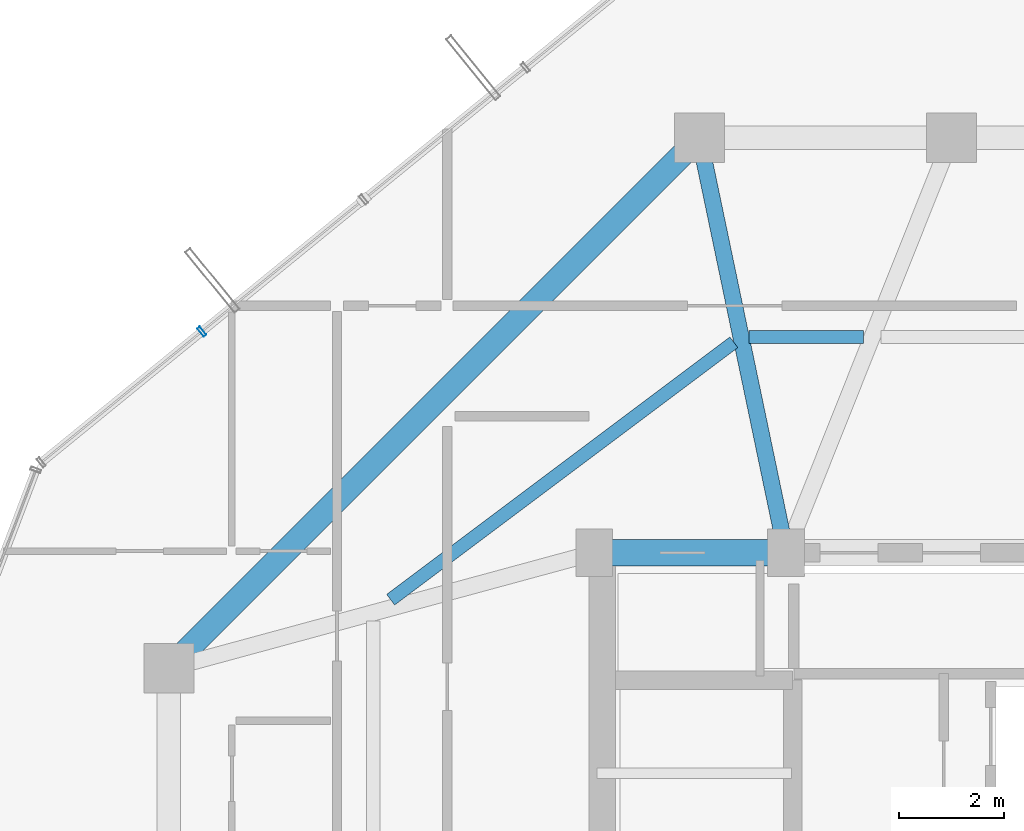
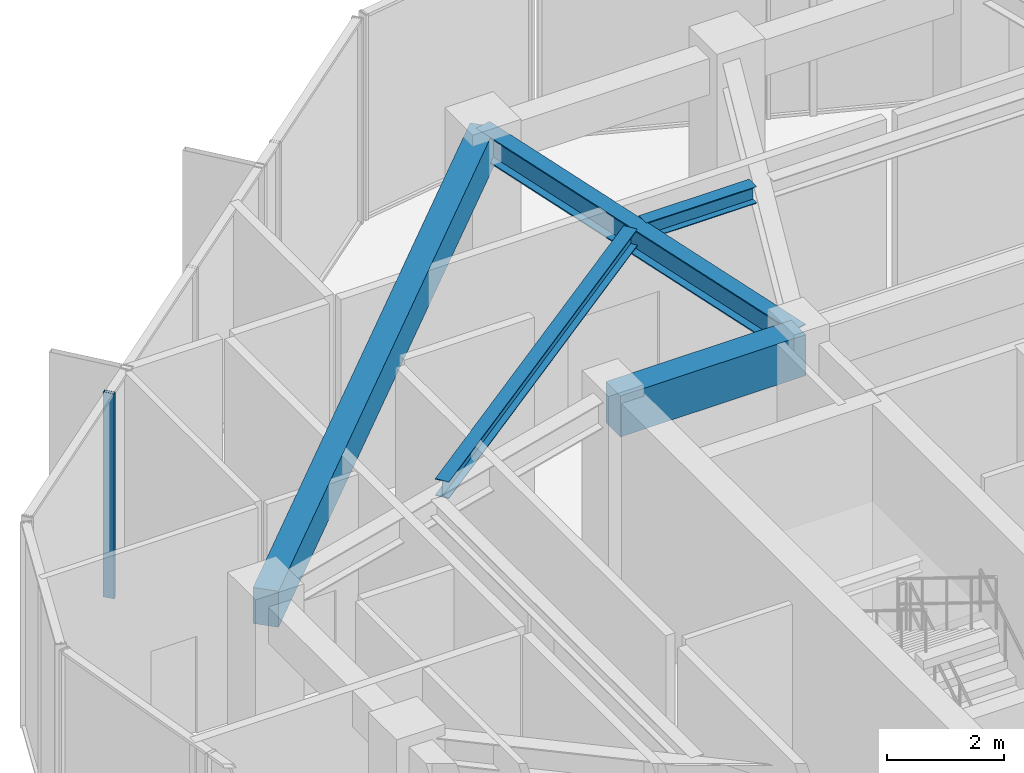
# One storey, part 10 of 22: 5 beams, 1 member, 1 element without a shape of its own.
"""IFC4 building model written with IfcOpenShell, lengths in metres."""

from ifc_helpers import new_model, si_unit, direction, frame, origin, origin_2d, place, context, subcontext, project, spatial, rectangle, hollow_rectangle, i_section, extrude, source, transform, mapped, material, layer, layer_set, material_profile, profile_set, type_object, element, aggregate, save


model = new_model("IFC4")

# Units and contexts
model_context = context("Model", 3, precision=1e-05, world=origin(), true_north=direction((0.0, 1.0)))
body_context = subcontext(model_context, "Body", "Model", "MODEL_VIEW")
ifc_project = project(units=[si_unit("LENGTHUNIT", "METRE"), si_unit("AREAUNIT", "SQUARE_METRE"), si_unit("VOLUMEUNIT", "CUBIC_METRE"), si_unit("PLANEANGLEUNIT", "RADIAN"), si_unit("MASSUNIT", "GRAM", prefix="KILO")], contexts=[model_context])

# Site, building, storey
site_placement = place(None, origin())
site = spatial("IfcSite", under=ifc_project, at=site_placement, CompositionType="ELEMENT")
building_placement = place(site_placement, origin())
building = spatial("IfcBuilding", under=site, at=building_placement, Name="Veraguas Prism Commons", CompositionType="ELEMENT")
storey_placement = place(building_placement, frame((0.0, 0.0, 174.35009765625)))
storey = spatial("IfcBuildingStorey", under=building, at=storey_placement, Name="L49", CompositionType="ELEMENT", Elevation=174.35009765625)

# Beams
ifc_material_1 = material(Name="Concrete C50/60", Category="concrete")
ifc_material_profile_1 = material_profile(ifc_material_1, rectangle(XDim=0.5, YDim=0.85009765625, at=origin_2d()), Name="RC500X850")
ifc_profile_set_1 = profile_set([ifc_material_profile_1], Name="Concrete C50/60")
beam_type_1 = type_object("IfcBeamType", Name="Core Coupling Beam RC 500x850", PredefinedType="BEAM", material=ifc_profile_set_1)
beam_1_placement = place(storey_placement, frame((17.199951171875, 31.0, 3.83984375), z_axis=(1.0, 0.0, 0.0), x_axis=(0.0, 1.0, 0.0)))
element("IfcBeam", 1, at=beam_1_placement, inside=storey, type_object=beam_type_1, Name="Core Coupling Beam L49-CRN1", PredefinedType="BEAM", context=body_context, shape_type="SweptSolid", body=[
    extrude(rectangle(XDim=0.5, YDim=0.85009765625, at=origin_2d()), origin(), (0.0, 0.0, 1.0), 3.650146484375),
])
ifc_material_profile_2 = material_profile(ifc_material_1, rectangle(XDim=0.449951171875, YDim=0.75, at=origin_2d()), Name="RC450X750")
ifc_profile_set_2 = profile_set([ifc_material_profile_2], Name="Concrete C50/60")
beam_type_2 = type_object("IfcBeamType", Name="Perimeter Spandrel Upper RC 450x750", PredefinedType="SPANDREL", material=ifc_profile_set_2)
beam_2_placement = place(storey_placement, frame((19.199951171875, 38.89990234375, 3.889892578125), z_axis=(-0.707106781187, -0.707106781187, 0.0), x_axis=(0.707106781187, -0.707106781187, 0.0)))
element("IfcBeam", 2, at=beam_2_placement, inside=storey, type_object=beam_type_2, Name="Perimeter Spandrel Beam L49-SP06", PredefinedType="SPANDREL", context=body_context, shape_type="SweptSolid", body=[
    extrude(rectangle(XDim=0.449951171875, YDim=0.75, at=origin_2d()), origin(), (0.0, 0.0, 1.0), 14.283447265625),
])
ifc_material_2 = material(Name="Steel ASTM A992 Grade 50", Category="steel")
ifc_material_profile_3 = material_profile(ifc_material_2, i_section(OverallWidth=0.25390625, OverallDepth=0.35302734375, WebThickness=0.009521484375, FlangeThickness=0.016357421875, at=origin_2d()), Name="W360X91")
ifc_profile_set_3 = profile_set([ifc_material_profile_3], Name="Steel ASTM A992 Grade 50")
beam_type_3 = type_object("IfcBeamType", Name="Upper Floor Joist W360x91", PredefinedType="JOIST", material=ifc_profile_set_3)
beam_3_placement = place(storey_placement, frame((22.32275390625, 35.10791015625, 4.08837890625), z_axis=(-1.0, 0.0, 0.0), x_axis=(0.0, -1.0, 0.0)))
element("IfcBeam", 3, at=beam_3_placement, inside=storey, type_object=beam_type_3, Name="Composite Floor Joist L49-JS05", PredefinedType="JOIST", context=body_context, shape_type="SweptSolid", body=[
    extrude(i_section(OverallWidth=0.25390625, OverallDepth=0.35302734375, WebThickness=0.009521484375, FlangeThickness=0.016357421875, at=origin_2d()), origin(), (0.0, 0.0, 1.0), 2.174072265625),
])
beam_4_placement = place(storey_placement, frame((19.8564453125, 35.00634765625, 4.08837890625), z_axis=(-0.800060962004, -0.599918708724, 0.0), x_axis=(0.599918708724, -0.800060962004, 0.0)))
element("IfcBeam", 4, at=beam_4_placement, inside=storey, type_object=beam_type_3, Name="Composite Floor Joist L49-JS06", PredefinedType="JOIST", context=body_context, shape_type="SweptSolid", body=[
    extrude(i_section(OverallWidth=0.25390625, OverallDepth=0.35302734375, WebThickness=0.009521484375, FlangeThickness=0.016357421875, at=origin_2d()), origin(), (0.0, 0.0, 1.0), 8.169189453125),
])
ifc_material_profile_4 = material_profile(ifc_material_2, i_section(OverallWidth=0.31103515625, OverallDepth=0.5458984375, WebThickness=0.0146484375, FlangeThickness=0.023681640625, at=origin_2d()), Name="W530X165")
ifc_profile_set_4 = profile_set([ifc_material_profile_4], Name="Steel ASTM A992 Grade 50")
beam_type_4 = type_object("IfcBeamType", Name="Zone 3 Radial Girder W530x165", PredefinedType="BEAM", material=ifc_profile_set_4)
beam_5_placement = place(storey_placement, frame((19.199951171875, 38.89990234375, 3.991943359375), z_axis=(0.204468851168, -0.978873070884, 0.0), x_axis=(0.978873070884, 0.204468851168, 0.0)))
element("IfcBeam", 5, at=beam_5_placement, inside=storey, type_object=beam_type_4, Name="Radial Floor Girder L49-RD06", PredefinedType="BEAM", context=body_context, shape_type="SweptSolid", body=[
    extrude(i_section(OverallWidth=0.31103515625, OverallDepth=0.5458984375, WebThickness=0.0146484375, FlangeThickness=0.023681640625, at=origin_2d()), origin(), (0.0, 0.0, 1.0), 8.0703125),
])

# Curtain wall, member
ifc_material_3 = material(Name="Anodised aluminium EN AW-6063 T6", Category="aluminium")
ifc_layer = layer(ifc_material_3, 0.199951171875, Name="Sky Lobby and Pool Acoustic Curtain Wall", Category="aluminium")
ifc_layer_set = layer_set([ifc_layer], Name="Anodised aluminium EN AW-6063 T6")
curtain_wall_type = type_object("IfcCurtainWallType", Name="Sky Lobby and Pool Acoustic Curtain Wall", PredefinedType="NOTDEFINED", material=ifc_layer_set)
curtain_wall_placement = place(storey_placement, origin())
curtain_wall = element("IfcCurtainWall", 6, at=curtain_wall_placement, inside=storey, type_object=curtain_wall_type, Name="Tower Facade Curtain Wall L49-F2", PredefinedType="NOTDEFINED")
ifc_material_profile_5 = material_profile(ifc_material_3, hollow_rectangle(XDim=0.06494140625, YDim=0.199951171875, WallThickness=0.00390625, at=origin_2d()), Name="AL65X200X4")
ifc_profile_set_5 = profile_set([ifc_material_profile_5], Name="Anodised aluminium EN AW-6063 T6")
member_type = type_object("IfcMemberType", Name="Curtain Wall Mullion Heavy AL 65x200x4", PredefinedType="MULLION", material=ifc_profile_set_5)
shared_shape = source(origin(), body_context, "Body", "SweptSolid", [
    extrude(hollow_rectangle(XDim=0.06494140625, YDim=0.199951171875, WallThickness=0.00390625, at=origin_2d()), origin(), (0.0, 0.0, 1.0), 4.264892578125),
])
member_placement = place(storey_placement, frame((9.725830078125, 35.211669921875, 0.0), z_axis=(0.0, 0.0, 1.0), x_axis=(-0.774941179396, -0.632033360256, 0.0)))
member = element("IfcMember", 7, at=member_placement, type_object=member_type, Name="CW-SKY Mullion 4", PredefinedType="MULLION", context=body_context, shape_type="MappedRepresentation", body=[
    mapped(shared_shape, transform((0.0, 0.0, 0.0), scale=1.0)),
])
aggregate(curtain_wall, [member])

save(model, "model.ifc")
